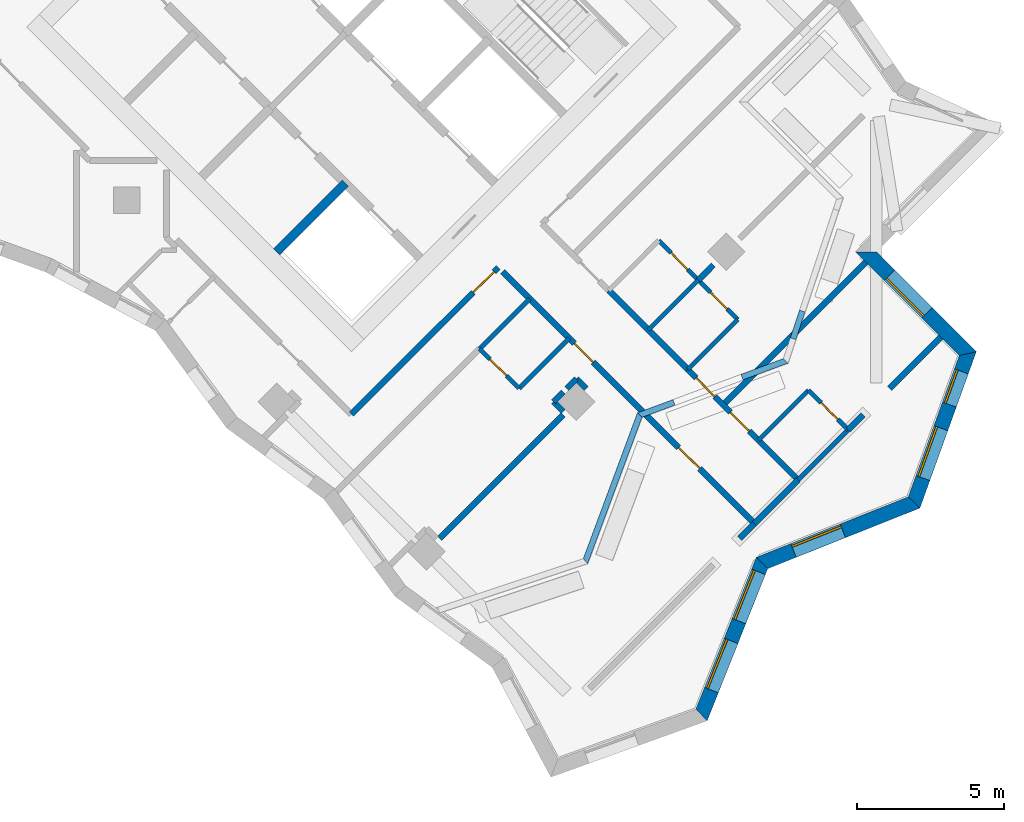
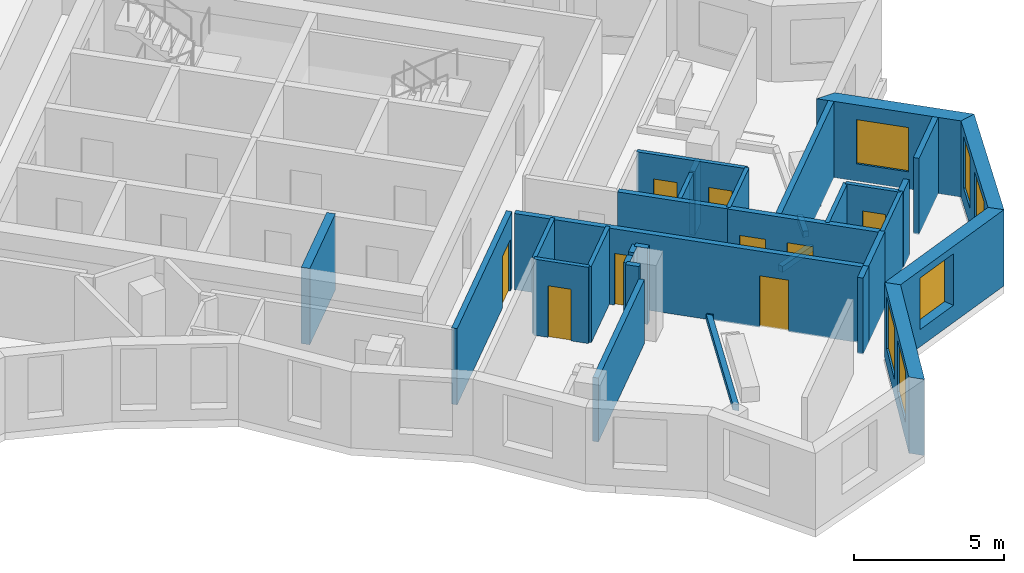
# One storey, part 8 of 13: 33 walls, 9 doors, 6 windows, 15 openings.
"""IFC4 building model written with IfcOpenShell, lengths in metres."""

from ifc_helpers import new_model, si_unit, direction, frame, frame_2d, origin, place, context, subcontext, project, spatial, polyline, rectangle, outline, extrude, material, layer, layer_set, type_object, element, fill, save


model = new_model("IFC4")

# Units and contexts
model_context = context("Model", 3, precision=1e-05, world=origin(), true_north=direction((0.0, 1.0)))
body_context = subcontext(model_context, "Body", "Model", "MODEL_VIEW")
ifc_project = project(units=[si_unit("LENGTHUNIT", "METRE"), si_unit("AREAUNIT", "SQUARE_METRE"), si_unit("VOLUMEUNIT", "CUBIC_METRE"), si_unit("PLANEANGLEUNIT", "RADIAN"), si_unit("MASSUNIT", "GRAM", prefix="KILO")], contexts=[model_context])

# Site, building, storey
site_placement = place(None, origin())
site = spatial("IfcSite", under=ifc_project, at=site_placement, CompositionType="ELEMENT")
building_placement = place(site_placement, origin())
building = spatial("IfcBuilding", under=site, at=building_placement, Name="Windrow Commons", CompositionType="ELEMENT")
storey_placement = place(building_placement, frame((0.0, 0.0, 172.8)))
storey = spatial("IfcBuildingStorey", under=building, at=storey_placement, Name="L47", CompositionType="ELEMENT", Elevation=172.8)

# Wall, openings, windows
ifc_material_1 = material(Name="Brick masonry, red clay brick", Category="masonry")
ifc_layer_1 = layer(ifc_material_1, 0.5)
ifc_layer_set_1 = layer_set([ifc_layer_1], Name="Brick facade wall 500")
wall_type_1 = type_object("IfcWallType", Name="Brick facade wall 500", PredefinedType="SOLIDWALL", material=ifc_layer_set_1)
wall_1_placement = place(storey_placement, frame((98.7217, 25.7242, 0.0), z_axis=(0.0, 0.0, 1.0), x_axis=(0.3696926776, 0.9291540906, 0.0)))
wall_1 = element("IfcWall", 1, at=wall_1_placement, inside=storey, type_object=wall_type_1, Name="Brick facade wall L47 2", PredefinedType="SOLIDWALL", context=body_context, shape_type="SweptSolid", body=[
    extrude(outline(polyline([(-0.1125, -0.25), (5.4486, -0.25), (5.664, 0.25), (0.1125, 0.25), (-0.1125, -0.25)])), origin(), (0.0, 0.0, 1.0), 3.1),
])
opening_1_placement = place(wall_1_placement, frame((0.9115, 0.0, 0.7)))
opening_1 = element("IfcOpeningElement", 2, at=opening_1_placement, cuts=wall_1, Name="Opening W1B", PredefinedType="OPENING", context=body_context, shape_type="SweptSolid", body=[
    extrude(rectangle(XDim=1.8, YDim=2.1, at=frame_2d((0.9, 1.05))), frame((0.0, 0.26, 0.0), z_axis=(0.0, -1.0, 0.0), x_axis=(1.0, 0.0, 0.0)), (0.0, 0.0, 1.0), 0.52),
])
opening_2_placement = place(wall_1_placement, frame((3.4333, 0.0, 0.7)))
opening_2 = element("IfcOpeningElement", 3, at=opening_2_placement, cuts=wall_1, Name="Opening W1B", PredefinedType="OPENING", context=body_context, shape_type="SweptSolid", body=[
    extrude(rectangle(XDim=1.8, YDim=2.1, at=frame_2d((0.9, 1.05))), frame((0.0, 0.26, 0.0), z_axis=(0.0, -1.0, 0.0), x_axis=(1.0, 0.0, 0.0)), (0.0, 0.0, 1.0), 0.52),
])
ifc_material_2 = material(Name="Clear float glass in anodised aluminium frame", Category="aluminium")
window_type_1 = type_object("IfcWindowType", Name="Window W1 bedroom 1800x2100", PartitioningType="SINGLE_PANEL", PredefinedType="WINDOW", material=ifc_material_2)
window_1_placement = place(opening_1_placement, origin())
window_1 = element("IfcWindow", 4, at=window_1_placement, inside=storey, type_object=window_type_1, Name="Window L47 2.1", OverallHeight=2.1, OverallWidth=1.8, PartitioningType="SINGLE_PANEL", PredefinedType="WINDOW", context=body_context, shape_type="SweptSolid", body=[
    extrude(rectangle(XDim=1.8, YDim=2.1, at=frame_2d((0.9, 1.05))), frame((0.0, 0.18, 0.0), z_axis=(0.0, -1.0, 0.0), x_axis=(1.0, 0.0, 0.0)), (0.0, 0.0, 1.0), 0.06),
])
fill(opening_1, window_1)
window_2_placement = place(opening_2_placement, origin())
window_2 = element("IfcWindow", 5, at=window_2_placement, inside=storey, type_object=window_type_1, Name="Window L47 2.2", OverallHeight=2.1, OverallWidth=1.8, PartitioningType="SINGLE_PANEL", PredefinedType="WINDOW", context=body_context, shape_type="SweptSolid", body=[
    extrude(rectangle(XDim=1.8, YDim=2.1, at=frame_2d((0.9, 1.05))), frame((0.0, 0.18, 0.0), z_axis=(0.0, -1.0, 0.0), x_axis=(1.0, 0.0, 0.0)), (0.0, 0.0, 1.0), 0.06),
])
fill(opening_2, window_2)

# Wall, opening, window
wall_2_placement = place(storey_placement, frame((100.7758, 30.8868, 0.0), z_axis=(0.0, 0.0, 1.0), x_axis=(0.9291503682, 0.3697020331, 0.0)))
wall_2 = element("IfcWall", 6, at=wall_2_placement, inside=storey, type_object=wall_type_1, Name="Brick facade wall L47 3", PredefinedType="SOLIDWALL", context=body_context, shape_type="SweptSolid", body=[
    extrude(outline(polyline([(0.1077, -0.25), (5.6689, -0.25), (5.4438, 0.25), (-0.1077, 0.25), (0.1077, -0.25)])), origin(), (0.0, 0.0, 1.0), 3.1),
])
opening_3_placement = place(wall_2_placement, frame((1.1503, 0.0, 0.7)))
opening_3 = element("IfcOpeningElement", 7, at=opening_3_placement, cuts=wall_2, Name="Opening W1B", PredefinedType="OPENING", context=body_context, shape_type="SweptSolid", body=[
    extrude(rectangle(XDim=1.8, YDim=2.1, at=frame_2d((0.9, 1.05))), frame((0.0, 0.26, 0.0), z_axis=(0.0, -1.0, 0.0), x_axis=(1.0, 0.0, 0.0)), (0.0, 0.0, 1.0), 0.52),
])
window_3_placement = place(opening_3_placement, origin())
window_3 = element("IfcWindow", 8, at=window_3_placement, inside=storey, type_object=window_type_1, Name="Window L47 3.1", OverallHeight=2.1, OverallWidth=1.8, PartitioningType="SINGLE_PANEL", PredefinedType="WINDOW", context=body_context, shape_type="SweptSolid", body=[
    extrude(rectangle(XDim=1.8, YDim=2.1, at=frame_2d((0.9, 1.05))), frame((0.0, 0.18, 0.0), z_axis=(0.0, -1.0, 0.0), x_axis=(1.0, 0.0, 0.0)), (0.0, 0.0, 1.0), 0.06),
])
fill(opening_3, window_3)

# Wall, openings, windows
wall_3_placement = place(storey_placement, frame((105.9385, 32.941, 0.0), z_axis=(0.0, 0.0, 1.0), x_axis=(0.3392592753, 0.9406929064, 0.0)))
wall_3 = element("IfcWall", 9, at=wall_3_placement, inside=storey, type_object=wall_type_1, Name="Brick facade wall L47 4", PredefinedType="SOLIDWALL", context=body_context, shape_type="SweptSolid", body=[
    extrude(outline(polyline([(-0.1125, -0.25), (5.5307, -0.25), (5.2132, 0.25), (0.1125, 0.25), (-0.1125, -0.25)])), origin(), (0.0, 0.0, 1.0), 3.1),
])
opening_4_placement = place(wall_3_placement, frame((0.8822, 0.0, 0.7)))
opening_4 = element("IfcOpeningElement", 10, at=opening_4_placement, cuts=wall_3, Name="Opening W1B", PredefinedType="OPENING", context=body_context, shape_type="SweptSolid", body=[
    extrude(rectangle(XDim=1.8, YDim=2.1, at=frame_2d((0.9, 1.05))), frame((0.0, 0.26, 0.0), z_axis=(0.0, -1.0, 0.0), x_axis=(1.0, 0.0, 0.0)), (0.0, 0.0, 1.0), 0.52),
])
opening_5_placement = place(wall_3_placement, frame((3.5326, 0.0, 0.7)))
opening_5 = element("IfcOpeningElement", 11, at=opening_5_placement, cuts=wall_3, Name="Opening W7B", PredefinedType="OPENING", context=body_context, shape_type="SweptSolid", body=[
    extrude(rectangle(XDim=1.2, YDim=2.1, at=frame_2d((0.6, 1.05))), frame((0.0, 0.26, 0.0), z_axis=(0.0, -1.0, 0.0), x_axis=(1.0, 0.0, 0.0)), (0.0, 0.0, 1.0), 0.52),
])
window_4_placement = place(opening_4_placement, origin())
window_4 = element("IfcWindow", 12, at=window_4_placement, inside=storey, type_object=window_type_1, Name="Window L47 4.1", OverallHeight=2.1, OverallWidth=1.8, PartitioningType="SINGLE_PANEL", PredefinedType="WINDOW", context=body_context, shape_type="SweptSolid", body=[
    extrude(rectangle(XDim=1.8, YDim=2.1, at=frame_2d((0.9, 1.05))), frame((0.0, 0.18, 0.0), z_axis=(0.0, -1.0, 0.0), x_axis=(1.0, 0.0, 0.0)), (0.0, 0.0, 1.0), 0.06),
])
fill(opening_4, window_4)
ifc_material_3 = material(Name="Clear float glass in anodised aluminium frame", Category="aluminium")
window_type_2 = type_object("IfcWindowType", Name="Window W7 notch 1200x2100", PartitioningType="SINGLE_PANEL", PredefinedType="WINDOW", material=ifc_material_3)
window_5_placement = place(opening_5_placement, origin())
window_5 = element("IfcWindow", 13, at=window_5_placement, inside=storey, type_object=window_type_2, Name="Window L47 4.2", OverallHeight=2.1, OverallWidth=1.2, PartitioningType="SINGLE_PANEL", PredefinedType="WINDOW", context=body_context, shape_type="SweptSolid", body=[
    extrude(rectangle(XDim=1.2, YDim=2.1, at=frame_2d((0.6, 1.05))), frame((0.0, 0.18, 0.0), z_axis=(0.0, -1.0, 0.0), x_axis=(1.0, 0.0, 0.0)), (0.0, 0.0, 1.0), 0.06),
])
fill(opening_5, window_5)

# Wall, opening, window
wall_4_placement = place(storey_placement, frame((107.761, 37.9944, 0.0), z_axis=(0.0, 0.0, 1.0), x_axis=(-0.7071272252, 0.7070863366, 0.0)))
wall_4 = element("IfcWall", 14, at=wall_4_placement, inside=storey, type_object=wall_type_1, Name="Brick facade wall L47 5", PredefinedType="SOLIDWALL", context=body_context, shape_type="SweptSolid", body=[
    extrude(outline(polyline([(-0.1588, -0.25), (4.6413, -0.25), (5.1413, 0.25), (0.1588, 0.25), (-0.1588, -0.25)])), origin(), (0.0, 0.0, 1.0), 3.1),
])
opening_6_placement = place(wall_4_placement, frame((1.9663, 0.0, 0.7)))
opening_6 = element("IfcOpeningElement", 15, at=opening_6_placement, cuts=wall_4, Name="Opening W1M", PredefinedType="OPENING", context=body_context, shape_type="SweptSolid", body=[
    extrude(rectangle(XDim=1.8, YDim=1.8, at=frame_2d((0.9, 0.9))), frame((0.0, 0.26, 0.0), z_axis=(0.0, -1.0, 0.0), x_axis=(1.0, 0.0, 0.0)), (0.0, 0.0, 1.0), 0.52),
])
ifc_material_4 = material(Name="Clear float glass in anodised aluminium frame", Category="aluminium")
window_type_3 = type_object("IfcWindowType", Name="Window W1M bedroom 1800x1800", PartitioningType="SINGLE_PANEL", PredefinedType="WINDOW", material=ifc_material_4)
window_6_placement = place(opening_6_placement, origin())
window_6 = element("IfcWindow", 16, at=window_6_placement, inside=storey, type_object=window_type_3, Name="Window L47 5.1", OverallHeight=1.8, OverallWidth=1.8, PartitioningType="SINGLE_PANEL", PredefinedType="WINDOW", context=body_context, shape_type="SweptSolid", body=[
    extrude(rectangle(XDim=1.8, YDim=1.8, at=frame_2d((0.9, 0.9))), frame((0.0, 0.18, 0.0), z_axis=(0.0, -1.0, 0.0), x_axis=(1.0, 0.0, 0.0)), (0.0, 0.0, 1.0), 0.06),
])
fill(opening_6, window_6)

# Wall, openings, doors
ifc_material_5 = material(Name="Blockwork partition", Category="masonry")
ifc_layer_2 = layer(ifc_material_5, 0.2)
ifc_layer_set_2 = layer_set([ifc_layer_2], Name="IW-CORRIDOR-200")
wall_type_2 = type_object("IfcWallType", Name="IW-CORRIDOR-200", PredefinedType="PARTITIONING", material=ifc_layer_set_2)
wall_5_placement = place(storey_placement, frame((91.9671, 40.7851, 0.0), z_axis=(0.0, 0.0, 1.0), x_axis=(0.7071067812, -0.7071067812, 0.0)))
wall_5 = element("IfcWall", 17, at=wall_5_placement, inside=storey, type_object=wall_type_2, Name="W-L47-W006", PredefinedType="PARTITIONING", context=body_context, shape_type="SweptSolid", body=[
    extrude(rectangle(XDim=12.1, YDim=0.2, at=frame_2d((6.05, 0.0))), origin(), (0.0, 0.0, 1.0), 3.1),
])
opening_7_placement = place(wall_5_placement, frame((3.4484, 0.0, 0.0)))
opening_7 = element("IfcOpeningElement", 18, at=opening_7_placement, cuts=wall_5, Name="Opening D109S", PredefinedType="OPENING", context=body_context, shape_type="SweptSolid", body=[
    extrude(rectangle(XDim=0.9, YDim=2.1, at=frame_2d((0.45, 1.05))), frame((0.0, 0.11, 0.0), z_axis=(0.0, -1.0, 0.0), x_axis=(1.0, 0.0, 0.0)), (0.0, 0.0, 1.0), 0.22),
])
opening_8_placement = place(wall_5_placement, frame((8.4575, 0.0, 0.0)))
opening_8 = element("IfcOpeningElement", 19, at=opening_8_placement, cuts=wall_5, Name="Opening D310F", PredefinedType="OPENING", context=body_context, shape_type="SweptSolid", body=[
    extrude(rectangle(XDim=1.0, YDim=2.1, at=frame_2d((0.5, 1.05))), frame((0.0, 0.11, 0.0), z_axis=(0.0, -1.0, 0.0), x_axis=(1.0, 0.0, 0.0)), (0.0, 0.0, 1.0), 0.22),
])
ifc_material_6 = material(Name="Timber door leaf", Category="wood")
door_type_1 = type_object("IfcDoorType", Name="DT-AMENITY-1000", OperationType="SINGLE_SWING_LEFT", PredefinedType="DOOR", material=ifc_material_6)
door_1_placement = place(opening_8_placement, origin())
door_1 = element("IfcDoor", 20, at=door_1_placement, inside=storey, type_object=door_type_1, Name="D-L47-D054", OperationType="SINGLE_SWING_RIGHT", OverallHeight=2.1, OverallWidth=1.0, PredefinedType="DOOR", context=body_context, shape_type="SweptSolid", body=[
    extrude(rectangle(XDim=1.0, YDim=2.1, at=frame_2d((0.5, 1.05))), frame((0.0, 0.025, 0.0), z_axis=(0.0, -1.0, 0.0), x_axis=(1.0, 0.0, 0.0)), (0.0, 0.0, 1.0), 0.05),
])
fill(opening_8, door_1)
ifc_material_7 = material(Name="Timber door leaf", Category="wood")
door_type_2 = type_object("IfcDoorType", Name="DT-BEDROOM-900", OperationType="SINGLE_SWING_LEFT", PredefinedType="DOOR", material=ifc_material_7)
door_2_placement = place(opening_7_placement, origin())
door_2 = element("IfcDoor", 21, at=door_2_placement, inside=storey, type_object=door_type_2, Name="D-L47-D052", OperationType="SINGLE_SWING_LEFT", OverallHeight=2.1, OverallWidth=0.9, PredefinedType="DOOR", context=body_context, shape_type="SweptSolid", body=[
    extrude(rectangle(XDim=0.9, YDim=2.1, at=frame_2d((0.45, 1.05))), frame((0.0, 0.025, 0.0), z_axis=(0.0, -1.0, 0.0), x_axis=(1.0, 0.0, 0.0)), (0.0, 0.0, 1.0), 0.05),
])
fill(opening_7, door_2)

# Wall, opening, door
wall_6_placement = place(storey_placement, frame((86.8339, 35.9401, 0.0), z_axis=(0.0, 0.0, 1.0), x_axis=(0.7072486139, 0.7069649201, 0.0)))
wall_6 = element("IfcWall", 22, at=wall_6_placement, inside=storey, type_object=wall_type_2, Name="W-L47-W017", PredefinedType="PARTITIONING", context=body_context, shape_type="SweptSolid", body=[
    extrude(rectangle(XDim=7.0499, YDim=0.2, at=frame_2d((3.525, 0.0))), origin(), (0.0, 0.0, 1.0), 3.1),
])
opening_9_placement = place(wall_6_placement, frame((5.8475, 0.0, 0.0)))
opening_9 = element("IfcOpeningElement", 23, at=opening_9_placement, cuts=wall_6, Name="Opening D310F", PredefinedType="OPENING", context=body_context, shape_type="SweptSolid", body=[
    extrude(rectangle(XDim=1.0, YDim=2.1, at=frame_2d((0.5, 1.05))), frame((0.0, 0.11, 0.0), z_axis=(0.0, -1.0, 0.0), x_axis=(1.0, 0.0, 0.0)), (0.0, 0.0, 1.0), 0.22),
])
door_3_placement = place(opening_9_placement, origin())
door_3 = element("IfcDoor", 24, at=door_3_placement, inside=storey, type_object=door_type_1, Name="D-L47-D051", OperationType="SINGLE_SWING_RIGHT", OverallHeight=2.1, OverallWidth=1.0, PredefinedType="DOOR", context=body_context, shape_type="SweptSolid", body=[
    extrude(rectangle(XDim=1.0, YDim=2.1, at=frame_2d((0.5, 1.05))), frame((0.0, 0.025, 0.0), z_axis=(0.0, -1.0, 0.0), x_axis=(1.0, 0.0, 0.0)), (0.0, 0.0, 1.0), 0.05),
])
fill(opening_9, door_3)

# Wall, openings, doors
wall_7_placement = place(storey_placement, frame((98.253, 37.455, 0.0), z_axis=(0.0, 0.0, 1.0), x_axis=(0.7071067812, -0.7071067812, 0.0)))
wall_7 = element("IfcWall", 25, at=wall_7_placement, inside=storey, type_object=wall_type_2, Name="W-L47-W034", PredefinedType="PARTITIONING", context=body_context, shape_type="SweptSolid", body=[
    extrude(rectangle(XDim=5.3005, YDim=0.2, at=frame_2d((2.6503, 0.0))), origin(), (0.0, 0.0, 1.0), 3.1),
])
opening_10_placement = place(wall_7_placement, frame((0.4005, 0.0, 0.0)))
opening_10 = element("IfcOpeningElement", 26, at=opening_10_placement, cuts=wall_7, Name="Opening D109S", PredefinedType="OPENING", context=body_context, shape_type="SweptSolid", body=[
    extrude(rectangle(XDim=0.9, YDim=2.1, at=frame_2d((0.45, 1.05))), frame((0.0, 0.11, 0.0), z_axis=(0.0, -1.0, 0.0), x_axis=(1.0, 0.0, 0.0)), (0.0, 0.0, 1.0), 0.22),
])
opening_11_placement = place(wall_7_placement, frame((2.0505, 0.0, 0.0)))
opening_11 = element("IfcOpeningElement", 27, at=opening_11_placement, cuts=wall_7, Name="Opening D109S", PredefinedType="OPENING", context=body_context, shape_type="SweptSolid", body=[
    extrude(rectangle(XDim=0.9, YDim=2.1, at=frame_2d((0.45, 1.05))), frame((0.0, 0.11, 0.0), z_axis=(0.0, -1.0, 0.0), x_axis=(1.0, 0.0, 0.0)), (0.0, 0.0, 1.0), 0.22),
])
door_4_placement = place(opening_10_placement, origin())
door_4 = element("IfcDoor", 28, at=door_4_placement, inside=storey, type_object=door_type_2, Name="D-L47-D045", OperationType="SINGLE_SWING_LEFT", OverallHeight=2.1, OverallWidth=0.9, PredefinedType="DOOR", context=body_context, shape_type="SweptSolid", body=[
    extrude(rectangle(XDim=0.9, YDim=2.1, at=frame_2d((0.45, 1.05))), frame((0.0, 0.025, 0.0), z_axis=(0.0, -1.0, 0.0), x_axis=(1.0, 0.0, 0.0)), (0.0, 0.0, 1.0), 0.05),
])
fill(opening_10, door_4)
door_5_placement = place(opening_11_placement, origin())
door_5 = element("IfcDoor", 29, at=door_5_placement, inside=storey, type_object=door_type_2, Name="D-L47-D055", OperationType="SINGLE_SWING_RIGHT", OverallHeight=2.1, OverallWidth=0.9, PredefinedType="DOOR", context=body_context, shape_type="SweptSolid", body=[
    extrude(rectangle(XDim=0.9, YDim=2.1, at=frame_2d((0.45, 1.05))), frame((0.0, 0.025, 0.0), z_axis=(0.0, -1.0, 0.0), x_axis=(1.0, 0.0, 0.0)), (0.0, 0.0, 1.0), 0.05),
])
fill(opening_11, door_5)

# Walls
wall_8_placement = place(storey_placement, frame((95.5735, 40.1475, 0.0), z_axis=(0.0, 0.0, 1.0), x_axis=(0.7068698107, -0.7073436723, 0.0)))
element("IfcWall", 30, at=wall_8_placement, inside=storey, type_object=wall_type_2, Name="W-L47-W053", PredefinedType="PARTITIONING", context=body_context, shape_type="SweptSolid", body=[
    extrude(rectangle(XDim=3.7986, YDim=0.2, at=frame_2d((1.8993, 0.0))), origin(), (0.0, 0.0, 1.0), 3.1),
])
wall_9_placement = place(storey_placement, frame((100.5192, 32.2268, 0.0), z_axis=(0.0, 0.0, 1.0), x_axis=(0.7071067812, 0.7071067812, 0.0)))
element("IfcWall", 31, at=wall_9_placement, inside=storey, type_object=wall_type_2, Name="W-L47-W113", PredefinedType="PARTITIONING", context=body_context, shape_type="SweptSolid", body=[
    extrude(rectangle(XDim=2.0987, YDim=0.2, at=frame_2d((1.0494, 0.0))), origin(), (0.0, 0.0, 1.0), 3.1),
])

# Wall, openings, doors
ifc_material_8 = material(Name="Blockwork partition", Category="masonry")
ifc_layer_3 = layer(ifc_material_8, 0.15)
ifc_layer_set_3 = layer_set([ifc_layer_3], Name="IW-ENSUITE-150")
wall_type_3 = type_object("IfcWallType", Name="IW-ENSUITE-150", PredefinedType="PARTITIONING", material=ifc_layer_set_3)
wall_10_placement = place(storey_placement, frame((97.263, 41.839, 0.0), z_axis=(0.0, 0.0, 1.0), x_axis=(0.7071067812, -0.7071067812, 0.0)))
wall_10 = element("IfcWall", 32, at=wall_10_placement, inside=storey, type_object=wall_type_3, Name="W-L47-W050", PredefinedType="PARTITIONING", context=body_context, shape_type="SweptSolid", body=[
    extrude(rectangle(XDim=3.8014, YDim=0.15, at=frame_2d((1.9007, 0.0))), origin(), (0.0, 0.0, 1.0), 3.1),
])
opening_12_placement = place(wall_10_placement, frame((0.5984, 0.0, 0.0)))
opening_12 = element("IfcOpeningElement", 33, at=opening_12_placement, cuts=wall_10, Name="Opening D208N", PredefinedType="OPENING", context=body_context, shape_type="SweptSolid", body=[
    extrude(rectangle(XDim=0.8, YDim=2.1, at=frame_2d((0.4, 1.05))), frame((0.0, 0.085, 0.0), z_axis=(0.0, -1.0, 0.0), x_axis=(1.0, 0.0, 0.0)), (0.0, 0.0, 1.0), 0.17),
])
opening_13_placement = place(wall_10_placement, frame((2.4929, 0.0, 0.0)))
opening_13 = element("IfcOpeningElement", 34, at=opening_13_placement, cuts=wall_10, Name="Opening D208N", PredefinedType="OPENING", context=body_context, shape_type="SweptSolid", body=[
    extrude(rectangle(XDim=0.8, YDim=2.1, at=frame_2d((0.4, 1.05))), frame((0.0, 0.085, 0.0), z_axis=(0.0, -1.0, 0.0), x_axis=(1.0, 0.0, 0.0)), (0.0, 0.0, 1.0), 0.17),
])
ifc_material_9 = material(Name="Timber door leaf", Category="wood")
door_type_3 = type_object("IfcDoorType", Name="DT-ENSUITE-800", OperationType="SINGLE_SWING_LEFT", PredefinedType="DOOR", material=ifc_material_9)
door_6_placement = place(opening_12_placement, origin())
door_6 = element("IfcDoor", 35, at=door_6_placement, inside=storey, type_object=door_type_3, Name="D-L47-D044", OperationType="SINGLE_SWING_RIGHT", OverallHeight=2.1, OverallWidth=0.8, PredefinedType="DOOR", context=body_context, shape_type="SweptSolid", body=[
    extrude(rectangle(XDim=0.8, YDim=2.1, at=frame_2d((0.4, 1.05))), frame((0.0, 0.025, 0.0), z_axis=(0.0, -1.0, 0.0), x_axis=(1.0, 0.0, 0.0)), (0.0, 0.0, 1.0), 0.05),
])
fill(opening_12, door_6)
door_7_placement = place(opening_13_placement, origin())
door_7 = element("IfcDoor", 36, at=door_7_placement, inside=storey, type_object=door_type_3, Name="D-L47-D046", OperationType="SINGLE_SWING_RIGHT", OverallHeight=2.1, OverallWidth=0.8, PredefinedType="DOOR", context=body_context, shape_type="SweptSolid", body=[
    extrude(rectangle(XDim=0.8, YDim=2.1, at=frame_2d((0.4, 1.05))), frame((0.0, 0.025, 0.0), z_axis=(0.0, -1.0, 0.0), x_axis=(1.0, 0.0, 0.0)), (0.0, 0.0, 1.0), 0.05),
])
fill(opening_13, door_7)

# Walls
wall_11_placement = place(storey_placement, frame((102.0032, 33.7108, 0.0), z_axis=(0.0, 0.0, 1.0), x_axis=(0.7071067812, 0.7071067812, 0.0)))
element("IfcWall", 37, at=wall_11_placement, inside=storey, type_object=wall_type_3, Name="W-L47-W070", PredefinedType="PARTITIONING", context=body_context, shape_type="SweptSolid", body=[
    extrude(rectangle(XDim=2.4013, YDim=0.15, at=frame_2d((1.2006, 0.0))), origin(), (0.0, 0.0, 1.0), 3.1),
])
for number, where, z_axis, x_axis, name in (
    (38, (98.2531, 37.4609, 0.0), (0.0, 0.0, 1.0), (0.7075233388, 0.706689978, 0.0), "W-L47-W094"),
    (39, (100.6573, 35.0568, 0.0), (0.0, 0.0, 1.0), (0.7075233388, 0.706689978, 0.0), "W-L47-W095"),
    (40, (91.1888, 38.1612, 0.0), (0.0, 0.0, 1.0), (0.706689978, 0.7075233388, 0.0), "W-L47-W096"),
    (41, (92.5307, 36.8193, 0.0), (0.0, 0.0, 1.0), (0.7075233388, 0.706689978, 0.0), "W-L47-W097"),
):
    element("IfcWall", number, at=place(storey_placement, frame(where, z_axis=z_axis, x_axis=x_axis)), inside=storey, type_object=wall_type_3, Name=name, PredefinedType="PARTITIONING", context=body_context, shape_type="SweptSolid", body=[
        extrude(rectangle(XDim=2.3999, YDim=0.15, at=frame_2d((1.2, 0.0))), origin(), (0.0, 0.0, 1.0), 3.1),
    ])
wall_12_placement = place(storey_placement, frame((96.913, 38.803, 0.0), z_axis=(0.0, 0.0, 1.0), x_axis=(0.7071067812, 0.7071067812, 0.0)))
element("IfcWall", 42, at=wall_12_placement, inside=storey, type_object=wall_type_3, Name="W-L47-W098", PredefinedType="PARTITIONING", context=body_context, shape_type="SweptSolid", body=[
    extrude(rectangle(XDim=2.3985, YDim=0.15, at=frame_2d((1.1992, 0.0))), origin(), (0.0, 0.0, 1.0), 2.6),
])

# Wall, opening, door
wall_13_placement = place(storey_placement, frame((102.3583, 36.7503, 0.0), z_axis=(0.0, 0.0, 1.0), x_axis=(0.7076330979, -0.7065800724, 0.0)))
wall_13 = element("IfcWall", 43, at=wall_13_placement, inside=storey, type_object=wall_type_3, Name="W-L47-W125", PredefinedType="PARTITIONING", context=body_context, shape_type="SweptSolid", body=[
    extrude(rectangle(XDim=1.8993, YDim=0.15, at=frame_2d((0.9496, 0.0))), origin(), (0.0, 0.0, 1.0), 3.1),
])
opening_14_placement = place(wall_13_placement, frame((0.5972, 0.0, 0.0)))
opening_14 = element("IfcOpeningElement", 44, at=opening_14_placement, cuts=wall_13, Name="Opening D208N", PredefinedType="OPENING", context=body_context, shape_type="SweptSolid", body=[
    extrude(rectangle(XDim=0.8, YDim=2.1, at=frame_2d((0.4, 1.05))), frame((0.0, 0.085, 0.0), z_axis=(0.0, -1.0, 0.0), x_axis=(1.0, 0.0, 0.0)), (0.0, 0.0, 1.0), 0.17),
])
door_8_placement = place(opening_14_placement, origin())
door_8 = element("IfcDoor", 45, at=door_8_placement, inside=storey, type_object=door_type_3, Name="D-L47-D056", OperationType="SINGLE_SWING_RIGHT", OverallHeight=2.1, OverallWidth=0.8, PredefinedType="DOOR", context=body_context, shape_type="SweptSolid", body=[
    extrude(rectangle(XDim=0.8, YDim=2.1, at=frame_2d((0.4, 1.05))), frame((0.0, 0.025, 0.0), z_axis=(0.0, -1.0, 0.0), x_axis=(1.0, 0.0, 0.0)), (0.0, 0.0, 1.0), 0.05),
])
fill(opening_14, door_8)

wall_14_placement = place(storey_placement, frame((91.183, 38.161, 0.0), z_axis=(0.0, 0.0, 1.0), x_axis=(0.7071067812, -0.7071067812, 0.0)))
wall_14 = element("IfcWall", 46, at=wall_14_placement, inside=storey, type_object=wall_type_3, Name="W-L47-W126", PredefinedType="PARTITIONING", context=body_context, shape_type="SweptSolid", body=[
    extrude(rectangle(XDim=1.8979, YDim=0.15, at=frame_2d((0.9489, 0.0))), origin(), (0.0, 0.0, 1.0), 3.1),
])
opening_15_placement = place(wall_14_placement, frame((0.501, 0.0, 0.0)))
opening_15 = element("IfcOpeningElement", 47, at=opening_15_placement, cuts=wall_14, Name="Opening D208N", PredefinedType="OPENING", context=body_context, shape_type="SweptSolid", body=[
    extrude(rectangle(XDim=0.8, YDim=2.1, at=frame_2d((0.4, 1.05))), frame((0.0, 0.085, 0.0), z_axis=(0.0, -1.0, 0.0), x_axis=(1.0, 0.0, 0.0)), (0.0, 0.0, 1.0), 0.17),
])
door_9_placement = place(opening_15_placement, origin())
door_9 = element("IfcDoor", 48, at=door_9_placement, inside=storey, type_object=door_type_3, Name="D-L47-D053", OperationType="SINGLE_SWING_RIGHT", OverallHeight=2.1, OverallWidth=0.8, PredefinedType="DOOR", context=body_context, shape_type="SweptSolid", body=[
    extrude(rectangle(XDim=0.8, YDim=2.1, at=frame_2d((0.4, 1.05))), frame((0.0, 0.025, 0.0), z_axis=(0.0, -1.0, 0.0), x_axis=(1.0, 0.0, 0.0)), (0.0, 0.0, 1.0), 0.05),
])
fill(opening_15, door_9)

# Walls
ifc_material_10 = material(Name="Blockwork partition", Category="masonry")
ifc_layer_4 = layer(ifc_material_10, 0.2)
ifc_layer_set_4 = layer_set([ifc_layer_4], Name="IW-PARTY-200")
wall_type_4 = type_object("IfcWallType", Name="IW-PARTY-200", PredefinedType="PARTITIONING", material=ifc_layer_set_4)
wall_15_placement = place(storey_placement, frame((99.4576, 36.2564, 0.0), z_axis=(0.0, 0.0, 1.0), x_axis=(0.7071067812, 0.7071067812, 0.0)))
element("IfcWall", 49, at=wall_15_placement, inside=storey, type_object=wall_type_4, Name="W-L47-W020", PredefinedType="PARTITIONING", context=body_context, shape_type="SweptSolid", body=[
    extrude(rectangle(XDim=6.8502, YDim=0.2, at=frame_2d((3.4251, 0.0))), origin(), (0.0, 0.0, 1.0), 3.1),
])
wall_16_placement = place(storey_placement, frame((89.831, 31.721, 0.0), z_axis=(0.0, 0.0, 1.0), x_axis=(0.7071067812, 0.7071067812, 0.0)))
element("IfcWall", 50, at=wall_16_placement, inside=storey, type_object=wall_type_4, Name="W-L47-W027", PredefinedType="PARTITIONING", context=body_context, shape_type="SweptSolid", body=[
    extrude(rectangle(XDim=5.9284, YDim=0.2, at=frame_2d((2.9642, 0.0))), origin(), (0.0, 0.0, 1.0), 2.6),
])
wall_17_placement = place(storey_placement, frame((105.1052, 36.8128, 0.0), z_axis=(0.0, 0.0, 1.0), x_axis=(0.7071067812, 0.7071067812, 0.0)))
element("IfcWall", 51, at=wall_17_placement, inside=storey, type_object=wall_type_4, Name="W-L47-W069", PredefinedType="PARTITIONING", context=body_context, shape_type="SweptSolid", body=[
    extrude(rectangle(XDim=2.4634, YDim=0.2, at=frame_2d((1.2317, 0.0))), origin(), (0.0, 0.0, 1.0), 3.1),
])
wall_18_placement = place(storey_placement, frame((100.0132, 31.7208, 0.0), z_axis=(0.0, 0.0, 1.0), x_axis=(0.7071067812, 0.7071067812, 0.0)))
element("IfcWall", 52, at=wall_18_placement, inside=storey, type_object=wall_type_4, Name="W-L47-W144", PredefinedType="PARTITIONING", context=body_context, shape_type="SweptSolid", body=[
    extrude(rectangle(XDim=0.7156, YDim=0.2, at=frame_2d((0.3578, 0.0))), origin(), (0.0, 0.0, 1.0), 3.1),
])
wall_19_placement = place(storey_placement, frame((98.6128, 40.4952, 0.0), z_axis=(0.0, 0.0, 1.0), x_axis=(0.7057051861, 0.7085056035, 0.0)))
element("IfcWall", 53, at=wall_19_placement, inside=storey, type_object=wall_type_4, Name="W-L47-W145", PredefinedType="PARTITIONING", context=body_context, shape_type="SweptSolid", body=[
    extrude(rectangle(XDim=0.7142, YDim=0.2, at=frame_2d((0.3571, 0.0))), origin(), (0.0, 0.0, 1.0), 2.6),
])
wall_20_placement = place(storey_placement, frame((103.7012, 35.4088, 0.0), z_axis=(0.0, 0.0, 1.0), x_axis=(0.7071067812, 0.7071067812, 0.0)))
element("IfcWall", 54, at=wall_20_placement, inside=storey, type_object=wall_type_4, Name="W-L47-W146", PredefinedType="PARTITIONING", context=body_context, shape_type="SweptSolid", body=[
    extrude(rectangle(XDim=0.7128, YDim=0.2, at=frame_2d((0.3564, 0.0))), origin(), (0.0, 0.0, 1.0), 3.1),
])
for number, where, z_axis, x_axis, name in (
    (55, (94.1451, 36.8129, 0.0), (0.0, 0.0, 1.0), (0.7071067812, 0.7071067812, 0.0), "W-L47-W155"),
    (56, (93.6911, 36.3589, 0.0), (0.0, 0.0, 1.0), (0.7071067812, 0.7071067812, 0.0), "W-L47-W158"),
):
    element("IfcWall", number, at=place(storey_placement, frame(where, z_axis=z_axis, x_axis=x_axis)), inside=storey, type_object=wall_type_4, Name=name, PredefinedType="PARTITIONING", context=body_context, shape_type="SweptSolid", body=[
        extrude(rectangle(XDim=0.4695, YDim=0.2, at=frame_2d((0.2347, 0.0))), origin(), (0.0, 0.0, 1.0), 3.1),
    ])
for number, where, z_axis, x_axis, name in (
    (57, (94.476, 37.142, 0.0), (0.0, 0.0, 1.0), (0.7049672897, -0.7092398187, 0.0), "W-L47-W159"),
    (58, (93.6946, 36.3606, 0.0), (0.0, 0.0, 1.0), (0.7092398187, -0.7049672897, 0.0), "W-L47-W161"),
):
    element("IfcWall", number, at=place(storey_placement, frame(where, z_axis=z_axis, x_axis=x_axis)), inside=storey, type_object=wall_type_4, Name=name, PredefinedType="PARTITIONING", context=body_context, shape_type="SweptSolid", body=[
        extrude(rectangle(XDim=0.4681, YDim=0.2, at=frame_2d((0.2341, 0.0))), origin(), (0.0, 0.0, 1.0), 3.1),
    ])
ifc_material_11 = material(Name="Concrete C50/60", Category="concrete")
ifc_layer_5 = layer(ifc_material_11, 0.3)
ifc_layer_set_5 = layer_set([ifc_layer_5], Name="RC SHAFT WALL 300 C50/60")
wall_type_5 = type_object("IfcWallType", Name="RC SHAFT WALL 300 C50/60", PredefinedType="SOLIDWALL", material=ifc_layer_set_5)
wall_21_placement = place(storey_placement, frame((84.2912, 41.453, 0.0), z_axis=(0.0, 0.0, 1.0), x_axis=(0.7071067812, 0.7071067812, 0.0)))
element("IfcWall", 59, at=wall_21_placement, inside=storey, type_object=wall_type_5, Name="Core B wall shaft-S3", PredefinedType="SOLIDWALL", context=body_context, shape_type="SweptSolid", body=[
    extrude(rectangle(XDim=3.2999, YDim=0.3, at=frame_2d((1.65, 0.0))), origin(), (0.0, 0.0, 1.0), 3.1),
])
ifc_material_12 = material(Name="Brick masonry, red clay brick", Category="masonry")
ifc_layer_6 = layer(ifc_material_12, 0.2)
ifc_layer_set_6 = layer_set([ifc_layer_6], Name="Terrace edge parapet 200")
wall_type_6 = type_object("IfcWallType", Name="Terrace edge parapet 200", PredefinedType="PARAPET", material=ifc_layer_set_6)
wall_22_placement = place(storey_placement, frame((102.1441, 39.441, 0.0), z_axis=(0.0, 0.0, 1.0), x_axis=(-0.3161671582, -0.9487034985, 0.0)))
element("IfcWall", 60, at=wall_22_placement, inside=storey, type_object=wall_type_6, Name="Terrace parapet TR-L47-1.1.5", PredefinedType="PARAPET", context=body_context, shape_type="SweptSolid", body=[
    extrude(outline(polyline([(0.0, -0.1), (0.99, -0.1), (0.99, 0.1), (0.0, 0.1), (0.0, -0.1)])), origin(), (0.0, 0.0, 1.0), 0.25),
])
wall_23_placement = place(storey_placement, frame((96.6231, 35.9092, 0.0), z_axis=(0.0, 0.0, 1.0), x_axis=(-0.3481832062, -0.9374265064, 0.0)))
element("IfcWall", 61, at=wall_23_placement, inside=storey, type_object=wall_type_6, Name="Terrace parapet TR-L47-1.1.8", PredefinedType="PARAPET", context=body_context, shape_type="SweptSolid", body=[
    extrude(outline(polyline([(-0.0458, -0.1), (5.2404, -0.1), (5.3362, 0.1), (0.0458, 0.1), (-0.0458, -0.1)])), origin(), (0.0, 0.0, 1.0), 0.25),
])
wall_24_placement = place(storey_placement, frame((101.5806, 37.7505, 0.0), z_axis=(0.0, 0.0, 1.0), x_axis=(-0.9374282115, -0.3481786155, 0.0)))
element("IfcWall", 62, at=wall_24_placement, inside=storey, type_object=wall_type_6, Name="Terrace parapet TR-L47-1.1.7", PredefinedType="PARAPET", context=body_context, shape_type="SweptSolid", body=[
    extrude(outline(polyline([(0.0479, -0.1), (1.5862, -0.1), (1.5862, 0.1), (-0.0479, 0.1), (0.0479, -0.1)])), origin(), (0.0, 0.0, 1.0), 0.25),
])
wall_25_placement = place(storey_placement, frame((97.7837, 36.3403, 0.0), z_axis=(0.0, 0.0, 1.0), x_axis=(-0.9374199992, -0.3482007252, 0.0)))
element("IfcWall", 63, at=wall_25_placement, inside=storey, type_object=wall_type_6, Name="Terrace parapet TR-L47-1.1.7", PredefinedType="PARAPET", context=body_context, shape_type="SweptSolid", body=[
    extrude(outline(polyline([(0.0, -0.1), (1.2839, -0.1), (1.1923, 0.1), (0.0, 0.1), (0.0, -0.1)])), origin(), (0.0, 0.0, 1.0), 0.25),
])

save(model, "model.ifc")
